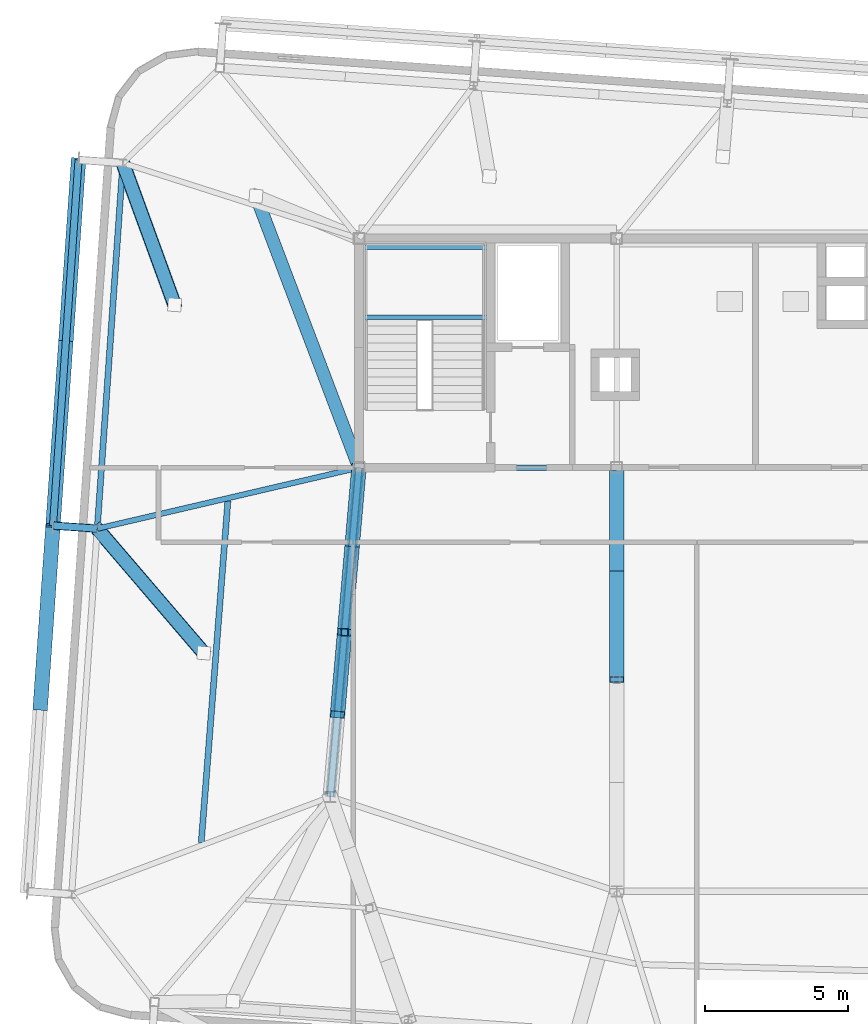
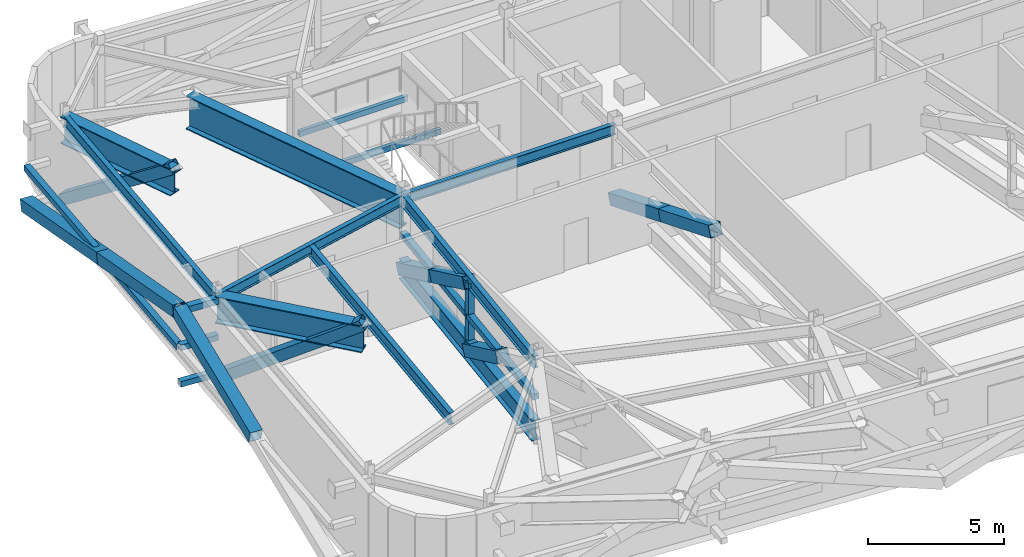
# One storey, part 8 of 24: 18 members, 10 beams.
"""IFC4 building model written with IfcOpenShell, lengths in metres."""

from ifc_helpers import new_model, si_unit, direction, frame, origin, origin_2d, place, context, subcontext, project, spatial, hollow_rectangle, i_section, extrude, source, transform, mapped, material, material_profile, profile_set, type_object, element, save


model = new_model("IFC4")

# Units and contexts
model_context = context("Model", 3, precision=1e-05, world=origin(), true_north=direction((0.0, 1.0)))
body_context = subcontext(model_context, "Body", "Model", "MODEL_VIEW")
ifc_project = project(units=[si_unit("LENGTHUNIT", "METRE"), si_unit("AREAUNIT", "SQUARE_METRE"), si_unit("VOLUMEUNIT", "CUBIC_METRE"), si_unit("PLANEANGLEUNIT", "RADIAN"), si_unit("MASSUNIT", "GRAM", prefix="KILO")], contexts=[model_context])

# Site, building, storey
site_placement = place(None, origin())
site = spatial("IfcSite", under=ifc_project, at=site_placement, CompositionType="ELEMENT")
building_placement = place(site_placement, origin())
building = spatial("IfcBuilding", under=site, at=building_placement, Name="Taldren Reach Tower", CompositionType="ELEMENT")
storey_placement = place(building_placement, frame((0.0, 0.0, 164.5)))
storey = spatial("IfcBuildingStorey", under=building, at=storey_placement, Name="L50", CompositionType="ELEMENT", Elevation=164.5)

# Beams
ifc_material_1 = material(Name="Steel Gr 350 (350PLUS)", Category="steel")
ifc_material_profile_1 = material_profile(ifc_material_1, i_section(OverallWidth=0.19091796875, OverallDepth=0.4599609375, WebThickness=0.010009765625, FlangeThickness=0.01611328125, at=origin_2d()), Name="460UB82.1")
ifc_profile_set_1 = profile_set([ifc_material_profile_1], Name="Steel Gr 350 (350PLUS)")
beam_type_1 = type_object("IfcBeamType", Name="BM-UB460A", PredefinedType="BEAM", material=ifc_profile_set_1)
shared_shape_1 = source(origin(), body_context, "Body", "SweptSolid", [
    extrude(i_section(OverallWidth=0.19091796875, OverallDepth=0.4599609375, WebThickness=0.010009765625, FlangeThickness=0.01611328125, at=origin_2d()), origin(), (0.0, 0.0, 1.0), 9.0),
])
beam_1_placement = place(storey_placement, frame((19.0, 24.0, 3.550048828125), z_axis=(1.0, 0.0, 0.0), x_axis=(0.0, 1.0, 0.0)))
element("IfcBeam", 1, at=beam_1_placement, inside=storey, type_object=beam_type_1, Name="Core-spine girder L50-SP01", PredefinedType="BEAM", context=body_context, shape_type="MappedRepresentation", body=[
    mapped(shared_shape_1, transform((0.0, 0.0, 0.0), scale=1.0)),
])
ifc_material_profile_2 = material_profile(ifc_material_1, i_section(OverallWidth=0.208984375, OverallDepth=0.532958984375, WebThickness=0.01025390625, FlangeThickness=0.015625, at=origin_2d()), Name="530UB92.4")
ifc_profile_set_2 = profile_set([ifc_material_profile_2], Name="Steel Gr 350 (350PLUS)")
beam_type_2 = type_object("IfcBeamType", Name="BM-UB530A", PredefinedType="BEAM", material=ifc_profile_set_2)
shared_shape_2 = source(origin(), body_context, "Body", "SweptSolid", [
    extrude(i_section(OverallWidth=0.208984375, OverallDepth=0.532958984375, WebThickness=0.01025390625, FlangeThickness=0.015625, at=origin_2d()), origin(), (0.0, 0.0, 1.0), 11.54345703125),
])
beam_2_placement = place(storey_placement, frame((19.0, 24.0, 3.513427734375), z_axis=(-0.086629616365, -0.996240588196, 0.0), x_axis=(0.996240588196, -0.086629616365, 0.0)))
element("IfcBeam", 2, at=beam_2_placement, inside=storey, type_object=beam_type_2, Name="Core-spine girder L50-SP09", PredefinedType="BEAM", context=body_context, shape_type="MappedRepresentation", body=[
    mapped(shared_shape_2, transform((0.0, 0.0, 0.0), scale=1.0)),
])

# Members
ifc_material_profile_3 = material_profile(ifc_material_1, i_section(OverallWidth=0.35009765625, OverallDepth=0.916015625, WebThickness=0.013916015625, FlangeThickness=0.028076171875, at=origin_2d()), Name="900WB257")
ifc_profile_set_3 = profile_set([ifc_material_profile_3], Name="Steel Gr 350 (350PLUS)")
member_type_1 = type_object("IfcMemberType", Name="MB-CH900", PredefinedType="CHORD", material=ifc_profile_set_3)
shared_shape_3 = source(origin(), body_context, "Body", "SweptSolid", [
    extrude(i_section(OverallWidth=0.35009765625, OverallDepth=0.916015625, WebThickness=0.013916015625, FlangeThickness=0.028076171875, at=origin_2d()), origin(), (0.0, 0.0, 1.0), 11.54345703125),
])
member_1_placement = place(storey_placement, frame((19.0, 24.0, 0.449951171875), z_axis=(-0.086629616365, -0.996240588196, 0.0), x_axis=(0.996240588196, -0.086629616365, 0.0)))
element("IfcMember", 3, at=member_1_placement, inside=storey, type_object=member_type_1, Name="Outrigger Transfer Truss Bottom Chord OT-W1 L50", PredefinedType="CHORD", context=body_context, shape_type="MappedRepresentation", body=[
    mapped(shared_shape_3, transform((0.0, 0.0, 0.0), scale=1.0)),
])
ifc_material_2 = material(Name="Steel Gr 350 (C350L0)", Category="steel")
ifc_material_profile_4 = material_profile(ifc_material_2, hollow_rectangle(XDim=0.25, YDim=0.25, WallThickness=0.010009765625, at=origin_2d()), Name="250x250x10.0SHS")
ifc_profile_set_4 = profile_set([ifc_material_profile_4], Name="Steel Gr 350 (C350L0)")
member_type_2 = type_object("IfcMemberType", Name="MB-POST250", PredefinedType="POST", material=ifc_profile_set_4)
shared_shape_4 = source(origin(), body_context, "Body", "SweptSolid", [
    extrude(hollow_rectangle(XDim=0.25, YDim=0.25, WallThickness=0.010009765625, at=origin_2d()), origin(), (0.0, 0.0, 1.0), 11.54345703125),
])
member_2_placement = place(storey_placement, frame((19.0, 24.0, 1.955078125), z_axis=(-0.086629616365, -0.996240588196, 0.0), x_axis=(0.996240588196, -0.086629616365, 0.0)))
element("IfcMember", 4, at=member_2_placement, inside=storey, type_object=member_type_2, Name="Outrigger Transfer Truss Mid Chord OT-W1 L50", PredefinedType="POST", context=body_context, shape_type="MappedRepresentation", body=[
    mapped(shared_shape_4, transform((0.0, 0.0, 0.0), scale=1.0)),
])
shared_shape_5 = source(origin(), body_context, "Body", "SweptSolid", [
    extrude(hollow_rectangle(XDim=0.25, YDim=0.25, WallThickness=0.010009765625, at=origin_2d()), origin(), (0.0, 0.0, 1.0), 1.5048828125),
])
member_3_placement = place(storey_placement, frame((18.5, 18.25, 1.955078125), z_axis=(0.0, 0.0, 1.0), x_axis=(1.0, 0.0, 0.0)))
element("IfcMember", 5, at=member_3_placement, inside=storey, type_object=member_type_2, Name="Outrigger Transfer Truss Vertical Post OT-W1 L50", PredefinedType="POST", context=body_context, shape_type="MappedRepresentation", body=[
    mapped(shared_shape_5, transform((0.0, 0.0, 0.0), scale=1.0)),
])
shared_shape_6 = source(origin(), body_context, "Body", "SweptSolid", [
    extrude(hollow_rectangle(XDim=0.25, YDim=0.25, WallThickness=0.010009765625, at=origin_2d()), origin(), (0.0, 0.0, 1.0), 1.505126953125),
])
member_4_placement = place(storey_placement, frame((18.5, 18.25, 0.449951171875), z_axis=(0.0, 0.0, 1.0), x_axis=(1.0, 0.0, 0.0)))
element("IfcMember", 6, at=member_4_placement, inside=storey, type_object=member_type_2, Name="Outrigger Transfer Truss Vertical Post OT-W1 L50", PredefinedType="POST", context=body_context, shape_type="MappedRepresentation", body=[
    mapped(shared_shape_6, transform((0.0, 0.0, 0.0), scale=1.0)),
])
ifc_material_3 = material(Name="Steel Gr 450 (C450L0)", Category="steel")
ifc_material_profile_5 = material_profile(ifc_material_3, hollow_rectangle(XDim=0.510009765625, YDim=0.510009765625, WallThickness=0.02001953125, at=origin_2d()), Name="510x510x20.0SHS")
ifc_profile_set_5 = profile_set([ifc_material_profile_5], Name="Steel Gr 450 (C450L0)")
member_type_3 = type_object("IfcMemberType", Name="MB-EXO508", PredefinedType="BRACE", material=ifc_profile_set_5)
shared_shape_7 = source(origin(), body_context, "Body", "SweptSolid", [
    extrude(hollow_rectangle(XDim=0.510009765625, YDim=0.510009765625, WallThickness=0.02001953125, at=origin_2d()), origin(), (0.0, 0.0, 1.0), 3.254638671875),
])
member_5_placement = place(storey_placement, frame((18.75, 21.125, 1.955078125), z_axis=(-0.076812991328, -0.883349400268, 0.462378201703), x_axis=(0.996240588196, -0.086629616365, 0.0)))
element("IfcMember", 7, at=member_5_placement, inside=storey, type_object=member_type_3, Name="Outrigger Transfer Truss Diagonal OT-W1A L50", PredefinedType="BRACE", context=body_context, shape_type="MappedRepresentation", body=[
    mapped(shared_shape_7, transform((0.0, 0.0, 0.0), scale=1.0)),
])
shared_shape_8 = source(origin(), body_context, "Body", "SweptSolid", [
    extrude(hollow_rectangle(XDim=0.510009765625, YDim=0.510009765625, WallThickness=0.02001953125, at=origin_2d()), origin(), (0.0, 0.0, 1.0), 3.2548828125),
])
for number, where, z_axis, x_axis, name in (
    (8, (19.0, 24.0, 0.449951171875), (-0.076810327051, -0.883318761082, 0.462437174089), (0.996240588196, -0.086629616365, 0.0), "Outrigger Transfer Truss Diagonal OT-W1A L50"),
    (9, (18.5, 18.25, 0.449951171875), (-0.076810327051, -0.883318761082, 0.462437174089), (0.996240588196, -0.086629616365, 0.0), "Outrigger Transfer Truss Diagonal OT-W1B L50"),
):
    element("IfcMember", number, at=place(storey_placement, frame(where, z_axis=z_axis, x_axis=x_axis)), inside=storey, type_object=member_type_3, Name=name, PredefinedType="BRACE", context=body_context, shape_type="MappedRepresentation", body=[
        mapped(shared_shape_8, transform((0.0, 0.0, 0.0), scale=1.0)),
    ])
shared_shape_9 = source(origin(), body_context, "Body", "SweptSolid", [
    extrude(hollow_rectangle(XDim=0.510009765625, YDim=0.510009765625, WallThickness=0.02001953125, at=origin_2d()), origin(), (0.0, 0.0, 1.0), 3.994384765625),
])
for number, where, z_axis, x_axis, name in (
    (10, (28.0, 24.0, 0.449951171875), (0.0, -0.926289977248, 0.376811462206), (1.0, 0.0, 0.0), "Outrigger Transfer Truss Diagonal OT-M1A L50"),
    (11, (28.0, 20.300048828125, 1.955078125), (0.0, -0.926311309754, 0.376759017705), (1.0, 0.0, 0.0), "Outrigger Transfer Truss Diagonal OT-M1A L50"),
):
    element("IfcMember", number, at=place(storey_placement, frame(where, z_axis=z_axis, x_axis=x_axis)), inside=storey, type_object=member_type_3, Name=name, PredefinedType="BRACE", context=body_context, shape_type="MappedRepresentation", body=[
        mapped(shared_shape_9, transform((0.0, 0.0, 0.0), scale=1.0)),
    ])
ifc_material_profile_6 = material_profile(ifc_material_3, hollow_rectangle(XDim=0.27490234375, YDim=0.27490234375, WallThickness=0.00927734375, at=origin_2d()), Name="275x275x9.3SHS")
ifc_profile_set_6 = profile_set([ifc_material_profile_6], Name="Steel Gr 450 (C450L0)")
member_type_4 = type_object("IfcMemberType", Name="MB-TIE273", PredefinedType="STRUT", material=ifc_profile_set_6)
shared_shape_10 = source(origin(), body_context, "Body", "SweptSolid", [
    extrude(hollow_rectangle(XDim=0.27490234375, YDim=0.27490234375, WallThickness=0.00927734375, at=origin_2d()), origin(), (0.0, 0.0, 1.0), 1.550048828125),
])
member_6_placement = place(storey_placement, frame((9.86181640625, 21.868408203125, 3.5), z_axis=(-0.99756313426, 0.06976957191, 0.0), x_axis=(-0.06976957191, -0.99756313426, 0.0)))
element("IfcMember", 12, at=member_6_placement, inside=storey, type_object=member_type_4, Name="Exoskeleton diaphragm tie strut B3-W2 L50", PredefinedType="STRUT", context=body_context, shape_type="MappedRepresentation", body=[
    mapped(shared_shape_10, transform((0.0, 0.0, 0.0), scale=1.0)),
])
shared_shape_11 = source(origin(), body_context, "Body", "SweptSolid", [
    extrude(hollow_rectangle(XDim=0.25, YDim=0.25, WallThickness=0.010009765625, at=origin_2d()), origin(), (0.0, 0.0, 1.0), 1.550048828125),
])
for number, where, z_axis, x_axis, name in (
    (13, (9.86181640625, 21.868408203125, 0.219970703125), (-0.99756313426, 0.06976957191, 0.0), (-0.06976957191, -0.99756313426, 0.0), "Exoskeleton base diaphragm tie strut B3-W2 L50"),
    (14, (9.86181640625, 21.868408203125, 1.860107421875), (-0.99756313426, 0.06976957191, 0.0), (-0.06976957191, -0.99756313426, 0.0), "Exoskeleton mid-tier diaphragm tie B3-W2 L50"),
):
    element("IfcMember", number, at=place(storey_placement, frame(where, z_axis=z_axis, x_axis=x_axis)), inside=storey, type_object=member_type_2, Name=name, PredefinedType="POST", context=body_context, shape_type="MappedRepresentation", body=[
        mapped(shared_shape_11, transform((0.0, 0.0, 0.0), scale=1.0)),
    ])

# Beams
ifc_material_profile_7 = material_profile(ifc_material_1, i_section(OverallWidth=0.208984375, OverallDepth=0.528076171875, WebThickness=0.009521484375, FlangeThickness=0.01318359375, at=origin_2d()), Name="530UB82.0")
ifc_profile_set_7 = profile_set([ifc_material_profile_7], Name="Steel Gr 350 (350PLUS)")
beam_type_3 = type_object("IfcBeamType", Name="SP-UB530B", PredefinedType="SPANDREL", material=ifc_profile_set_7)
shared_shape_12 = source(origin(), body_context, "Body", "SweptSolid", [
    extrude(i_section(OverallWidth=0.208984375, OverallDepth=0.528076171875, WebThickness=0.009521484375, FlangeThickness=0.01318359375, at=origin_2d()), origin(), (0.0, 0.0, 1.0), 12.800048828125),
])
beam_3_placement = place(storey_placement, frame((10.754638671875, 34.63720703125, 3.51611328125), z_axis=(-0.069751876777, -0.9975643717, 0.0), x_axis=(0.9975643717, -0.069751876777, 0.0)))
element("IfcBeam", 15, at=beam_3_placement, inside=storey, type_object=beam_type_3, Name="Perimeter spandrel B3 W3-W2 L50", PredefinedType="SPANDREL", context=body_context, shape_type="MappedRepresentation", body=[
    mapped(shared_shape_12, transform((0.0, 0.0, 0.0), scale=1.0)),
])
shared_shape_13 = source(origin(), body_context, "Body", "SweptSolid", [
    extrude(i_section(OverallWidth=0.19091796875, OverallDepth=0.4599609375, WebThickness=0.010009765625, FlangeThickness=0.01611328125, at=origin_2d()), origin(), (0.0, 0.0, 1.0), 9.383544921875),
])
beam_4_placement = place(storey_placement, frame((19.0, 24.0, 3.550048828125), z_axis=(-0.973856560651, -0.227163815951, 0.0), x_axis=(0.227163815951, -0.973856560651, 0.0)))
element("IfcBeam", 16, at=beam_4_placement, inside=storey, type_object=beam_type_1, Name="Primary floor girder B3-W2 L50", PredefinedType="BEAM", context=body_context, shape_type="MappedRepresentation", body=[
    mapped(shared_shape_13, transform((0.0, 0.0, 0.0), scale=1.0)),
])
shared_shape_14 = source(origin(), body_context, "Body", "SweptSolid", [
    extrude(i_section(OverallWidth=0.208984375, OverallDepth=0.532958984375, WebThickness=0.01025390625, FlangeThickness=0.015625, at=origin_2d()), origin(), (0.0, 0.0, 1.0), 11.965576171875),
])
beam_5_placement = place(storey_placement, frame((13.49267578125, 10.90478515625, 3.513427734375), z_axis=(0.077757433297, 0.996972307322, 0.0), x_axis=(-0.996972307322, 0.077757433297, 0.0)))
element("IfcBeam", 17, at=beam_5_placement, inside=storey, type_object=beam_type_2, Name="Secondary floor beam B3 J6 L50", PredefinedType="BEAM", context=body_context, shape_type="MappedRepresentation", body=[
    mapped(shared_shape_14, transform((0.0, 0.0, 0.0), scale=1.0)),
])

# Member
shared_shape_15 = source(origin(), body_context, "Body", "SweptSolid", [
    extrude(hollow_rectangle(XDim=0.25, YDim=0.25, WallThickness=0.010009765625, at=origin_2d()), origin(), (0.0, 0.0, 1.0), 12.800048828125),
])
member_7_placement = place(storey_placement, frame((8.3154296875, 21.9765625, 1.860107421875), z_axis=(0.069770857464, 0.997563044348, 0.0), x_axis=(-0.997563044348, 0.069770857464, 0.0)))
element("IfcMember", 18, at=member_7_placement, inside=storey, type_object=member_type_2, Name="Exoskeleton mid-height ring chord B3-W2 L50", PredefinedType="POST", context=body_context, shape_type="MappedRepresentation", body=[
    mapped(shared_shape_15, transform((0.0, 0.0, 0.0), scale=1.0)),
])

# Beam
ifc_material_profile_8 = material_profile(ifc_material_1, i_section(OverallWidth=0.449951171875, OverallDepth=1.5, WebThickness=0.02001953125, FlangeThickness=0.0439453125, at=origin_2d()), Name="1500WB550")
ifc_profile_set_8 = profile_set([ifc_material_profile_8], Name="Steel Gr 350 (350PLUS)")
beam_type_4 = type_object("IfcBeamType", Name="BM-PG1500", PredefinedType="BEAM", material=ifc_profile_set_8)
shared_shape_16 = source(origin(), body_context, "Body", "SweptSolid", [
    extrude(i_section(OverallWidth=0.449951171875, OverallDepth=1.5, WebThickness=0.02001953125, FlangeThickness=0.0439453125, at=origin_2d()), origin(), (0.0, 0.0, 1.0), 10.142578125),
])
beam_6_placement = place(storey_placement, frame((19.0, 24.0, 3.030029296875), z_axis=(-0.354563528908, 0.935031926711, 0.0), x_axis=(-0.935031926711, -0.354563528908, 0.0)))
element("IfcBeam", 19, at=beam_6_placement, inside=storey, type_object=beam_type_4, Name="Belt Truss Transfer Girder TG-B4-N1A on L50", PredefinedType="BEAM", context=body_context, shape_type="MappedRepresentation", body=[
    mapped(shared_shape_16, transform((0.0, 0.0, 0.0), scale=1.0)),
])

# Member
ifc_material_profile_9 = material_profile(ifc_material_3, hollow_rectangle(XDim=0.4599609375, YDim=0.4599609375, WallThickness=0.01611328125, at=origin_2d()), Name="460x460x16.0SHS")
ifc_profile_set_9 = profile_set([ifc_material_profile_9], Name="Steel Gr 450 (C450L0)")
member_type_5 = type_object("IfcMemberType", Name="MB-EXO457", PredefinedType="BRACE", material=ifc_profile_set_9)
shared_shape_17 = source(origin(), body_context, "Body", "SweptSolid", [
    extrude(hollow_rectangle(XDim=0.4599609375, YDim=0.4599609375, WallThickness=0.01611328125, at=origin_2d()), origin(), (0.0, 0.0, 1.0), 6.844482421875),
])
member_8_placement = place(storey_placement, frame((9.86181640625, 21.868408203125, 0.02001953125), z_axis=(0.543641268577, -0.634563228659, 0.549348413973), x_axis=(0.759416282164, 0.65060503409, 0.0)))
element("IfcMember", 20, at=member_8_placement, inside=storey, type_object=member_type_5, Name="Outrigger Belt Truss Transfer Strut TS-B4-W2 L50", PredefinedType="BRACE", context=body_context, shape_type="MappedRepresentation", body=[
    mapped(shared_shape_17, transform((0.0, 0.0, 0.0), scale=1.0)),
])

# Beam
ifc_material_profile_10 = material_profile(ifc_material_1, i_section(OverallWidth=0.5, OverallDepth=1.199951171875, WebThickness=0.01611328125, FlangeThickness=0.0400390625, at=origin_2d()), Name="1200WB455")
ifc_profile_set_10 = profile_set([ifc_material_profile_10], Name="Steel Gr 350 (350PLUS)")
beam_type_5 = type_object("IfcBeamType", Name="BM-WB1200", PredefinedType="BEAM", material=ifc_profile_set_10)
shared_shape_18 = source(origin(), body_context, "Body", "SweptSolid", [
    extrude(i_section(OverallWidth=0.5, OverallDepth=1.199951171875, WebThickness=0.01611328125, FlangeThickness=0.0400390625, at=origin_2d()), origin(), (0.0, 0.0, 1.0), 5.71923828125),
])
beam_7_placement = place(storey_placement, frame((9.86181640625, 21.868408203125, 3.179931640625), z_axis=(0.65060503409, -0.759416282164, 0.0), x_axis=(0.759416282164, 0.65060503409, 0.0)))
element("IfcBeam", 21, at=beam_7_placement, inside=storey, type_object=beam_type_5, Name="Belt Truss Transfer Girder TG-B4-W2A on L50", PredefinedType="BEAM", context=body_context, shape_type="MappedRepresentation", body=[
    mapped(shared_shape_18, transform((0.0, 0.0, 0.0), scale=1.0)),
])

# Member
shared_shape_19 = source(origin(), body_context, "Body", "SweptSolid", [
    extrude(hollow_rectangle(XDim=0.4599609375, YDim=0.4599609375, WallThickness=0.01611328125, at=origin_2d()), origin(), (0.0, 0.0, 1.0), 6.477294921875),
])
member_9_placement = place(storey_placement, frame((10.754638671875, 34.63720703125, 0.02001953125), z_axis=(0.279034399878, -0.764960576189, 0.580495581862), x_axis=(0.9394510169, 0.342683216463, 0.0)))
element("IfcMember", 22, at=member_9_placement, inside=storey, type_object=member_type_5, Name="Outrigger Belt Truss Transfer Strut TS-B4-W3 L50", PredefinedType="BRACE", context=body_context, shape_type="MappedRepresentation", body=[
    mapped(shared_shape_19, transform((0.0, 0.0, 0.0), scale=1.0)),
])

# Beam
shared_shape_20 = source(origin(), body_context, "Body", "SweptSolid", [
    extrude(i_section(OverallWidth=0.5, OverallDepth=1.199951171875, WebThickness=0.01611328125, FlangeThickness=0.0400390625, at=origin_2d()), origin(), (0.0, 0.0, 1.0), 5.274169921875),
])
beam_8_placement = place(storey_placement, frame((10.754638671875, 34.63720703125, 3.179931640625), z_axis=(0.342683216463, -0.9394510169, 0.0), x_axis=(0.9394510169, 0.342683216463, 0.0)))
element("IfcBeam", 23, at=beam_8_placement, inside=storey, type_object=beam_type_5, Name="Belt Truss Transfer Girder TG-B4-W3A on L50", PredefinedType="BEAM", context=body_context, shape_type="MappedRepresentation", body=[
    mapped(shared_shape_20, transform((0.0, 0.0, 0.0), scale=1.0)),
])

# Members
shared_shape_21 = source(origin(), body_context, "Body", "SweptSolid", [
    extrude(hollow_rectangle(XDim=0.510009765625, YDim=0.510009765625, WallThickness=0.02001953125, at=origin_2d()), origin(), (0.0, 0.0, 1.0), 6.60693359375),
])
for number, where, z_axis, x_axis, name in (
    (24, (7.869140625, 15.592041015625, 1.860107421875), (0.067549393198, 0.966348020532, 0.248210762644), (-0.997565791441, 0.069731569223, 0.0), "Exoskeleton Diagrid Brace B3-W1 L50"),
    (25, (9.20849609375, 34.745361328125, 0.219970703125), (-0.067585557133, -0.966336743901, 0.248244818383), (0.997563137195, -0.069769529958, 0.0), "Exoskeleton Diagrid Brace B3-W2 L50"),
):
    element("IfcMember", number, at=place(storey_placement, frame(where, z_axis=z_axis, x_axis=x_axis)), inside=storey, type_object=member_type_3, Name=name, PredefinedType="BRACE", context=body_context, shape_type="MappedRepresentation", body=[
        mapped(shared_shape_21, transform((0.0, 0.0, 0.0), scale=1.0)),
    ])
shared_shape_22 = source(origin(), body_context, "Body", "SweptSolid", [
    extrude(hollow_rectangle(XDim=0.510009765625, YDim=0.510009765625, WallThickness=0.02001953125, at=origin_2d()), origin(), (0.0, 0.0, 1.0), 6.606689453125),
])
member_10_placement = place(storey_placement, frame((8.761962890625, 28.36083984375, 1.860107421875), z_axis=(-0.067588590583, -0.966343162246, 0.248219006532), x_axis=(0.997562951496, -0.069772185021, 0.0)))
element("IfcMember", 26, at=member_10_placement, inside=storey, type_object=member_type_3, Name="Exoskeleton Diagrid Brace B3-W2 L50", PredefinedType="BRACE", context=body_context, shape_type="MappedRepresentation", body=[
    mapped(shared_shape_22, transform((0.0, 0.0, 0.0), scale=1.0)),
])

# Beams
ifc_material_profile_11 = material_profile(ifc_material_2, hollow_rectangle(XDim=0.14990234375, YDim=0.25, WallThickness=0.009033203125, at=origin_2d()), Name="250x150x9.0RHS")
ifc_profile_set_11 = profile_set([ifc_material_profile_11], Name="Steel Gr 350 (C350L0)")
beam_type_6 = type_object("IfcBeamType", Name="LN-RHS250", PredefinedType="LINTEL", material=ifc_profile_set_11)
shared_shape_23 = source(origin(), body_context, "Body", "SweptSolid", [
    extrude(hollow_rectangle(XDim=0.14990234375, YDim=0.25, WallThickness=0.009033203125, at=origin_2d()), origin(), (0.0, 0.0, 1.0), 4.60009765625),
])
for number, where, z_axis, x_axis, name in (
    (27, (19.0, 29.2548828125, 1.794921875), (1.0, 0.0, 0.0), (0.0, 1.0, 0.0), "Stair half-landing support beam ST1-L50-1"),
    (28, (19.0, 31.699951171875, 1.794921875), (1.0, 0.0, 0.0), (0.0, 1.0, 0.0), "Stair half-landing support beam ST1-L50-2"),
):
    element("IfcBeam", number, at=place(storey_placement, frame(where, z_axis=z_axis, x_axis=x_axis)), inside=storey, type_object=beam_type_6, Name=name, PredefinedType="LINTEL", context=body_context, shape_type="MappedRepresentation", body=[
        mapped(shared_shape_23, transform((0.0, 0.0, 0.0), scale=1.0)),
    ])

save(model, "model.ifc")
